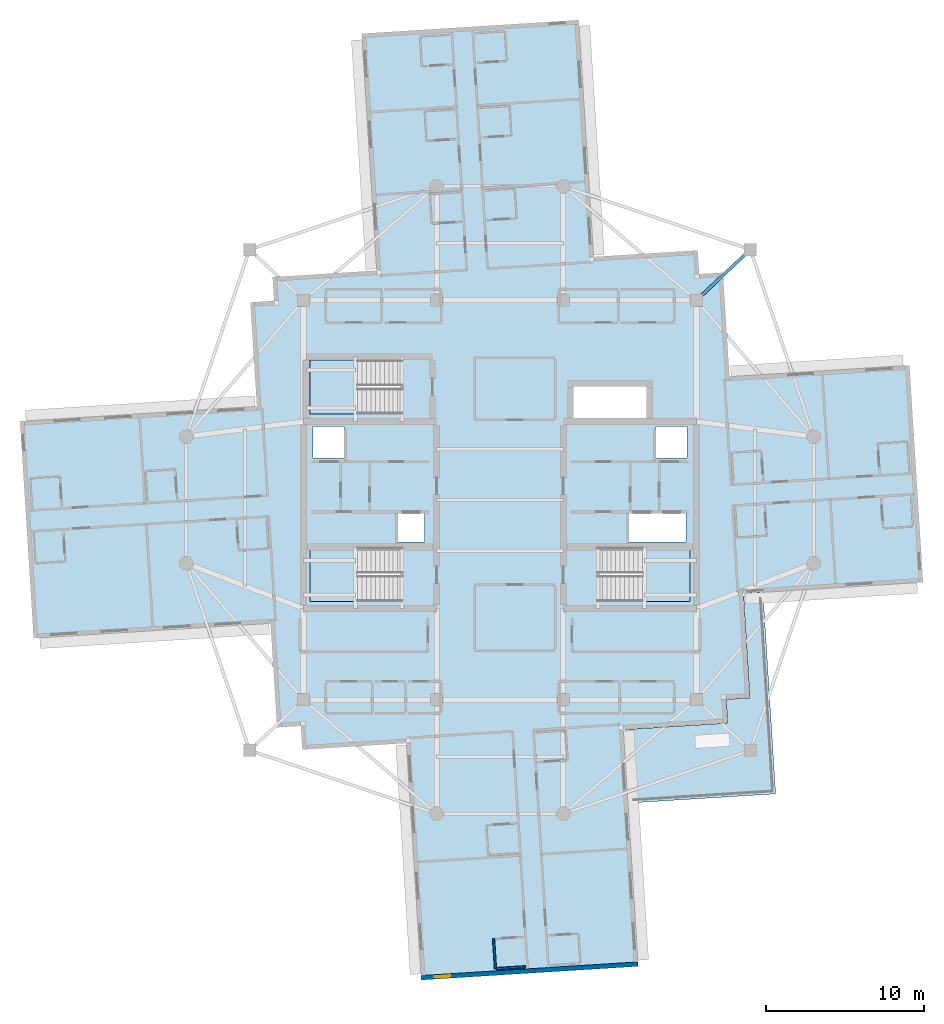
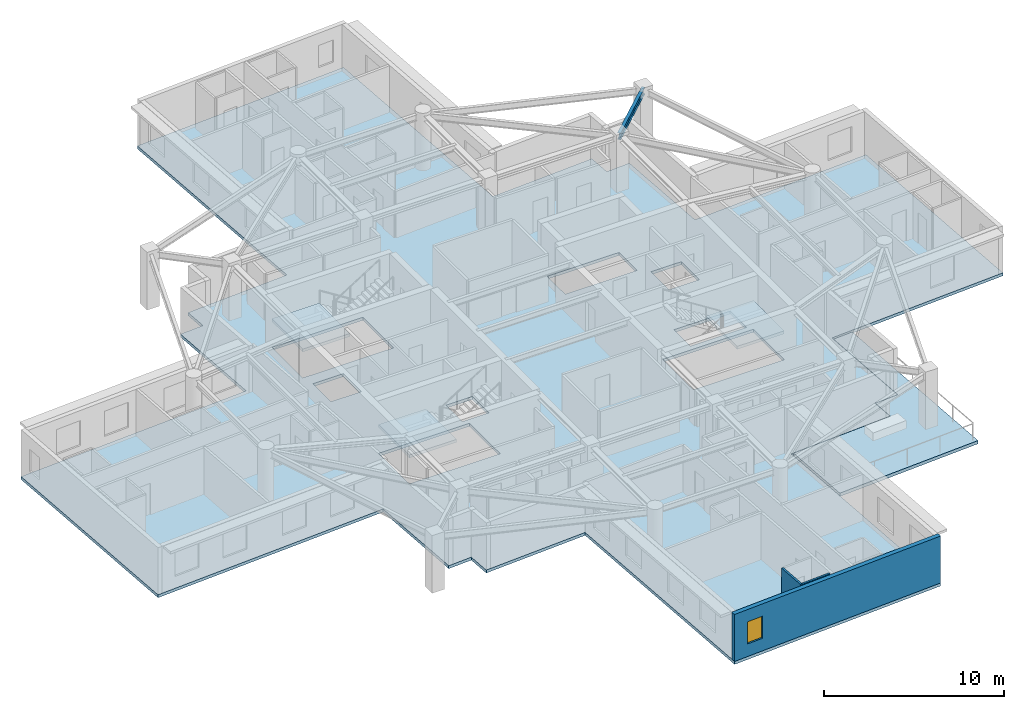
# One storey, part 2 of 13: 5 slabs, 3 walls, 1 beam, 1 window, 1 opening, 3 elements without a shape of their own.
"""IFC4 building model written with IfcOpenShell, lengths in metres."""

from ifc_helpers import new_model, si_unit, direction, frame, frame_2d, origin, origin_2d, place, context, subcontext, project, spatial, polyline, rectangle, i_section, outline, extrude, material, layer, layer_set, material_profile, profile_set, type_object, element, fill, aggregate, save


model = new_model("IFC4")

# Units and contexts
model_context = context("Model", 3, precision=1e-05, world=origin(), true_north=direction((0.0, 1.0)))
body_context = subcontext(model_context, "Body", "Model", "MODEL_VIEW")
ifc_project = project(units=[si_unit("LENGTHUNIT", "METRE"), si_unit("AREAUNIT", "SQUARE_METRE"), si_unit("VOLUMEUNIT", "CUBIC_METRE"), si_unit("PLANEANGLEUNIT", "RADIAN"), si_unit("MASSUNIT", "GRAM", prefix="KILO")], contexts=[model_context])

# Site, building, storey
site_placement = place(None, origin())
site = spatial("IfcSite", under=ifc_project, at=site_placement, CompositionType="ELEMENT")
building_placement = place(site_placement, origin())
building = spatial("IfcBuilding", under=site, at=building_placement, Name="Qingluan Cross Belvedere", CompositionType="ELEMENT")
storey_placement = place(building_placement, frame((0.0, 0.0, 281.10009765625)))
storey = spatial("IfcBuildingStorey", under=building, at=storey_placement, Name="L70", CompositionType="ELEMENT", Elevation=281.10009765625)

# Beam
ifc_material_1 = material(Name="Steel Q420GJB", Category="steel")
ifc_material_profile = material_profile(ifc_material_1, i_section(OverallWidth=0.199951171875, OverallDepth=0.449951171875, WebThickness=0.009033203125, FlangeThickness=0.013916015625, FilletRadius=0.01611328125, at=origin_2d()), Name="HN450x200x9x14")
ifc_profile_set = profile_set([ifc_material_profile], Name="Steel Q420GJB")
beam_type = type_object("IfcBeamType", Name="Steel_Beam_HN450x200x9x14", PredefinedType="JOIST", material=ifc_profile_set)
beam_placement = place(storey_placement, frame((12.39990234375, 12.60009765625, 3.454833984375), z_axis=(0.728219948308, 0.685343495546, 0.0), x_axis=(-0.685343495546, 0.728219948308, 0.0)))
element("IfcBeam", 1, at=beam_placement, inside=storey, type_object=beam_type, Name="Corner beam 1 L70-RNE", PredefinedType="JOIST", context=body_context, shape_type="SweptSolid", body=[
    extrude(i_section(OverallWidth=0.199951171875, OverallDepth=0.449951171875, WebThickness=0.009033203125, FlangeThickness=0.013916015625, FilletRadius=0.01611328125, at=origin_2d()), origin(), (0.0, 0.0, 1.0), 4.669189453125),
])

# Slab
ifc_material_2 = material(Name="Concrete C40", Category="concrete")
ifc_layer_1 = layer(ifc_material_2, 0.199951171875, Name="FloorSlab_200")
ifc_layer_set_1 = layer_set([ifc_layer_1], Name="Concrete C40")
slab_type_1 = type_object("IfcSlabType", Name="FloorSlab_200", PredefinedType="FLOOR", material=ifc_layer_set_1)
slab_1_placement = place(storey_placement, frame((0.0, 0.0, -0.2001953125)))
element("IfcSlab", 2, at=slab_1_placement, inside=storey, type_object=slab_type_1, Name="Structural floor slab L70", PredefinedType="FLOOR", context=body_context, shape_type="SweptSolid", body=[
    extrude(outline(polyline([(8.72509765625, -29.43017578125), (7.78466796875, -14.479736328125), (14.3515625, -14.066650390625), (14.25732421875, -12.569580078125), (15.75439453125, -12.475341796875), (15.34130859375, -5.908447265625), (26.69873046875, -5.19384765625), (25.83740234375, 8.4990234375), (14.479736328125, 7.78466796875), (14.066650390625, 14.3515625), (12.569580078125, 14.25732421875), (12.475341796875, 15.75439453125), (5.908447265625, 15.34130859375), (4.9677734375, 30.291748046875), (-8.72509765625, 29.43017578125), (-7.78466796875, 14.479736328125), (-14.3515625, 14.066650390625), (-14.25732421875, 12.569580078125), (-15.75439453125, 12.475341796875), (-15.34130859375, 5.908447265625), (-30.291748046875, 4.9677734375), (-29.43017578125, -8.72509765625), (-14.479736328125, -7.78466796875), (-14.066650390625, -14.3515625), (-12.569580078125, -14.25732421875), (-12.475341796875, -15.75439453125), (-5.908447265625, -15.34130859375), (-4.9677734375, -30.291748046875), (8.72509765625, -29.43017578125)]), holes=[polyline([(-12.0, -3.0), (-6.179931640625, -3.0), (-6.179931640625, -6.39990234375), (-12.0, -6.39990234375), (-12.0, -3.0)]), polyline([(6.179931640625, -3.0), (12.0, -3.0), (12.0, -6.39990234375), (6.179931640625, -6.39990234375), (6.179931640625, -3.0)]), polyline([(-12.0, 8.820068359375), (-6.179931640625, 8.820068359375), (-6.179931640625, 5.419921875), (-12.0, 5.419921875), (-12.0, 8.820068359375)]), polyline([(-11.800048828125, 4.64990234375), (-9.85009765625, 4.64990234375), (-9.85009765625, 2.64990234375), (-11.800048828125, 2.64990234375), (-11.800048828125, 4.64990234375)]), polyline([(9.85009765625, 4.64990234375), (11.800048828125, 4.64990234375), (11.800048828125, 2.64990234375), (9.85009765625, 2.64990234375), (9.85009765625, 4.64990234375)]), polyline([(-6.449951171875, -0.840087890625), (-4.75, -0.840087890625), (-4.75, -2.659912109375), (-6.449951171875, -2.659912109375), (-6.449951171875, -0.840087890625)]), polyline([(8.14990234375, -0.840087890625), (11.75, -0.840087890625), (11.75, -2.659912109375), (8.14990234375, -2.659912109375), (8.14990234375, -0.840087890625)]), polyline([(4.64990234375, 7.14990234375), (9.25, 7.14990234375), (9.25, 5.14990234375), (4.64990234375, 5.14990234375), (4.64990234375, 7.14990234375)])]), origin(), (0.0, 0.0, 1.0), 0.2001953125),
])

# Stair, slab
ifc_material_3 = material(Name="Concrete C40", Category="concrete")
stair_type = type_object("IfcStairType", Name="CoreDoglegStair_1620", PredefinedType="HALF_TURN_STAIR", material=ifc_material_3)
stair_1_placement = place(storey_placement, origin())
stair_1 = element("IfcStair", 3, at=stair_1_placement, inside=storey, type_object=stair_type, Name="L70 ST1", PredefinedType="HALF_TURN_STAIR")
ifc_material_4 = material(Name="Concrete C40", Category="concrete")
ifc_layer_2 = layer(ifc_material_4, 0.179931640625, Name="StairLandingSlab_180")
ifc_layer_set_2 = layer_set([ifc_layer_2], Name="Concrete C40")
slab_type_2 = type_object("IfcSlabType", Name="StairLandingSlab_180", PredefinedType="LANDING", material=ifc_layer_set_2)
slab_2_placement = place(storey_placement, frame((0.0, 0.0, 1.75)))
slab_2 = element("IfcSlab", 4, at=slab_2_placement, type_object=slab_type_2, Name="ST1 landing 1", PredefinedType="LANDING", context=body_context, shape_type="SweptSolid", body=[
    extrude(outline(polyline([(-8.97998046875, -3.0), (-12.0, -3.0), (-12.0, -6.39990234375), (-8.97998046875, -6.39990234375), (-8.97998046875, -3.0)])), origin(), (0.0, 0.0, 1.0), 0.199951171875),
])
aggregate(stair_1, [slab_2])

stair_2_placement = place(storey_placement, origin())
stair_2 = element("IfcStair", 5, at=stair_2_placement, inside=storey, type_object=stair_type, Name="L70 ST2", PredefinedType="HALF_TURN_STAIR")
slab_3_placement = place(storey_placement, frame((0.0, 0.0, 1.75)))
slab_3 = element("IfcSlab", 6, at=slab_3_placement, type_object=slab_type_2, Name="ST2 landing 1", PredefinedType="LANDING", context=body_context, shape_type="SweptSolid", body=[
    extrude(outline(polyline([(8.97998046875, -6.39990234375), (12.0, -6.39990234375), (12.0, -3.0), (8.97998046875, -3.0), (8.97998046875, -6.39990234375)])), origin(), (0.0, 0.0, 1.0), 0.199951171875),
])
aggregate(stair_2, [slab_3])

stair_3_placement = place(storey_placement, origin())
stair_3 = element("IfcStair", 7, at=stair_3_placement, inside=storey, type_object=stair_type, Name="L70 ST3", PredefinedType="HALF_TURN_STAIR")
slab_4_placement = place(storey_placement, frame((0.0, 0.0, 1.75)))
slab_4 = element("IfcSlab", 8, at=slab_4_placement, type_object=slab_type_2, Name="ST3 landing 1", PredefinedType="LANDING", context=body_context, shape_type="SweptSolid", body=[
    extrude(outline(polyline([(-8.97998046875, 8.820068359375), (-12.0, 8.820068359375), (-12.0, 5.419921875), (-8.97998046875, 5.419921875), (-8.97998046875, 8.820068359375)])), origin(), (0.0, 0.0, 1.0), 0.199951171875),
])
aggregate(stair_3, [slab_4])

# Slab
ifc_material_5 = material(Name="Concrete C40", Category="concrete")
ifc_layer_3 = layer(ifc_material_5, 0.219970703125, Name="TerraceSlab_220")
ifc_layer_set_3 = layer_set([ifc_layer_3], Name="Concrete C40")
slab_type_3 = type_object("IfcSlabType", Name="TerraceSlab_220", PredefinedType="FLOOR", material=ifc_layer_set_3)
slab_5_placement = place(storey_placement, frame((0.0, 0.0, -0.22021484375)))
element("IfcSlab", 9, at=slab_5_placement, inside=storey, type_object=slab_type_3, Name="Spiralling winter-garden terrace slab L70", PredefinedType="FLOOR", context=body_context, shape_type="SweptSolid", body=[
    extrude(outline(polyline([(15.360107421875, -6.047607421875), (15.76318359375, -12.48046875), (14.26806640625, -12.578857421875), (14.361572265625, -14.06591796875), (14.35400390625, -14.076416015625), (7.9248046875, -14.48095703125), (8.216796875, -19.121826171875), (17.398681640625, -18.544189453125), (16.607666015625, -5.968994140625), (15.360107421875, -6.047607421875)])), origin(), (0.0, 0.0, 1.0), 0.22021484375),
])

# Walls
ifc_material_6 = material(Name="Moisture-resistant gypsum board lining")
ifc_layer_4 = layer(ifc_material_6, 0.1201171875, Name="EnsuiteWetPartition_120")
ifc_layer_set_4 = layer_set([ifc_layer_4], Name="Moisture-resistant gypsum board lining")
wall_type_1 = type_object("IfcWallType", Name="EnsuiteWetPartition_120", PredefinedType="PARTITIONING", material=ifc_layer_set_4)
wall_1_placement = place(storey_placement, frame((-0.2236328125, -29.572509765625, 0.0), z_axis=(0.0, 0.0, 1.0), x_axis=(0.998019030272, 0.062912758763, 0.0)))
element("IfcWall", 10, at=wall_1_placement, inside=storey, type_object=wall_type_1, Name="Partition L70:S:bw1_1", PredefinedType="PARTITIONING", context=body_context, shape_type="SweptSolid", body=[
    extrude(rectangle(XDim=1.820068359375, YDim=0.1201171875, at=frame_2d((0.91015625, 0.0))), origin(), (0.0, 0.0, 1.0), 3.169921875),
])
wall_2_placement = place(storey_placement, frame((-0.406494140625, -27.7001953125, 0.0), z_axis=(0.0, 0.0, 1.0), x_axis=(0.062855297722, -0.998022650819, 0.0)))
element("IfcWall", 11, at=wall_2_placement, inside=storey, type_object=wall_type_1, Name="Partition L70:S:bc1_1", PredefinedType="PARTITIONING", context=body_context, shape_type="SweptSolid", body=[
    extrude(rectangle(XDim=1.8798828125, YDim=0.1201171875, at=frame_2d((0.93994140625, 0.0))), origin(), (0.0, 0.0, 1.0), 3.169921875),
])

# Wall, opening, window
ifc_material_7 = material(Name="Precast concrete C45", Category="concrete")
ifc_layer_5 = layer(ifc_material_7, 0.280029296875, Name="PrecastFacadeWall_280")
ifc_layer_set_5 = layer_set([ifc_layer_5], Name="Precast concrete C45")
wall_type_2 = type_object("IfcWallType", Name="PrecastFacadeWall_280", PredefinedType="STANDARD", material=ifc_layer_set_5)
wall_3_placement = place(storey_placement, frame((-4.9765625, -30.152099609375, 0.0), z_axis=(0.0, 0.0, 1.0), x_axis=(0.998026318072, 0.062797041623, 0.0)))
wall_3 = element("IfcWall", 12, at=wall_3_placement, inside=storey, type_object=wall_type_2, Name="Arm tip precast facade wall L70-S", PredefinedType="STANDARD", context=body_context, shape_type="SweptSolid", body=[
    extrude(rectangle(XDim=13.719970703125, YDim=0.280029296875, at=frame_2d((6.85986328125, 0.0))), origin(), (0.0, 0.0, 1.0), 3.179931640625),
])
opening_placement = place(wall_3_placement, frame((0.85009765625, 0.0, 0.85009765625)))
opening = element("IfcOpeningElement", 13, at=opening_placement, cuts=wall_3, Name="Opening W-03", PredefinedType="OPENING", context=body_context, shape_type="SweptSolid", body=[
    extrude(rectangle(XDim=1.0, YDim=1.5, at=frame_2d((0.5, 0.75))), frame((0.0, 0.14990234375, 0.0), z_axis=(0.0, -1.0, 0.0), x_axis=(1.0, 0.0, 0.0)), (0.0, 0.0, 1.0), 0.300048828125),
])
ifc_material_8 = material(Name="Thermally broken triple Low-E glass in aluminium frame", Category="aluminium")
window_type = type_object("IfcWindowType", Name="TriApexWin_1000x1500", PartitioningType="SINGLE_PANEL", PredefinedType="WINDOW", material=ifc_material_8)
window_placement = place(opening_placement, origin())
window = element("IfcWindow", 14, at=window_placement, inside=storey, type_object=window_type, Name="Arm tip triangular window L70-S", OverallHeight=1.5, OverallWidth=1.0, PartitioningType="SINGLE_PANEL", PredefinedType="WINDOW", context=body_context, shape_type="SweptSolid", body=[
    extrude(rectangle(XDim=1.0, YDim=1.5, at=frame_2d((0.5, 0.75))), frame((0.0, 0.030029296875, 0.0), z_axis=(0.0, -1.0, 0.0), x_axis=(1.0, 0.0, 0.0)), (0.0, 0.0, 1.0), 0.06005859375),
])
fill(opening, window)

save(model, "model.ifc")
